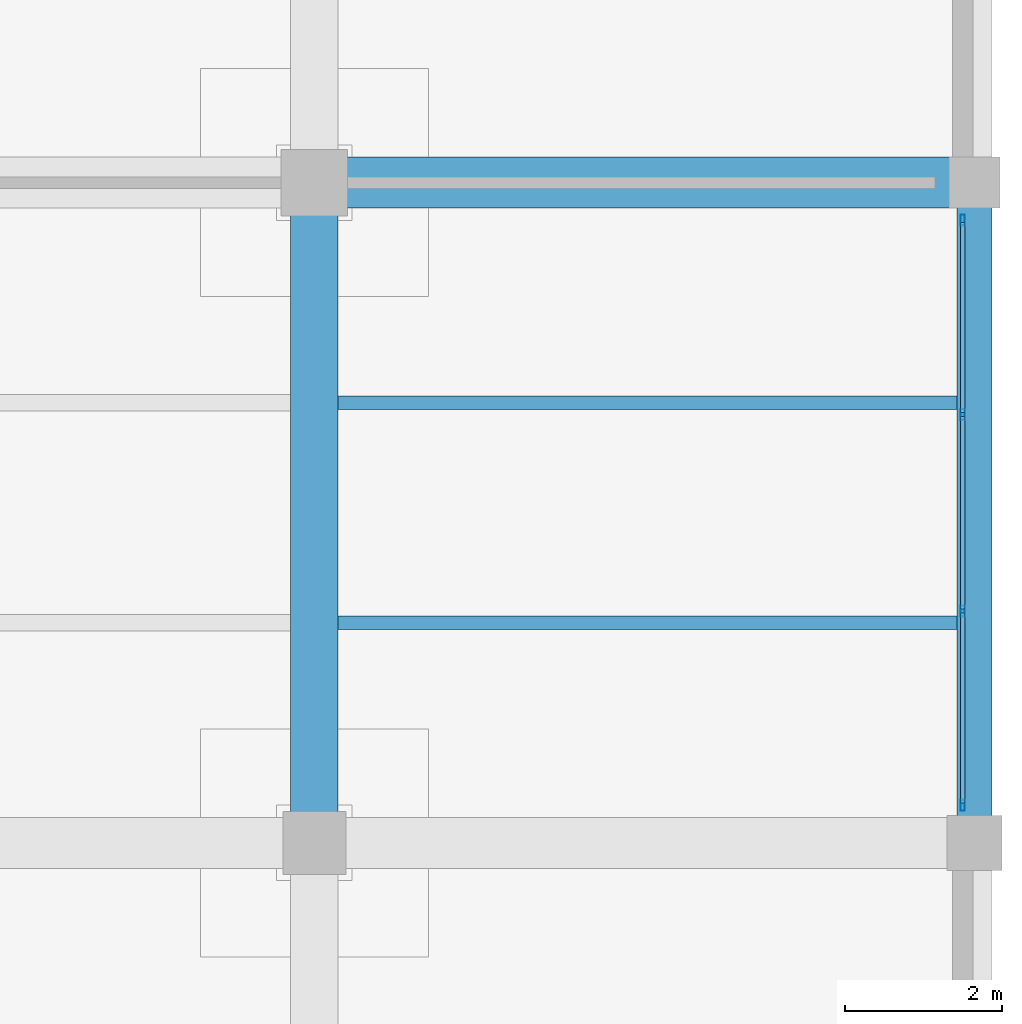
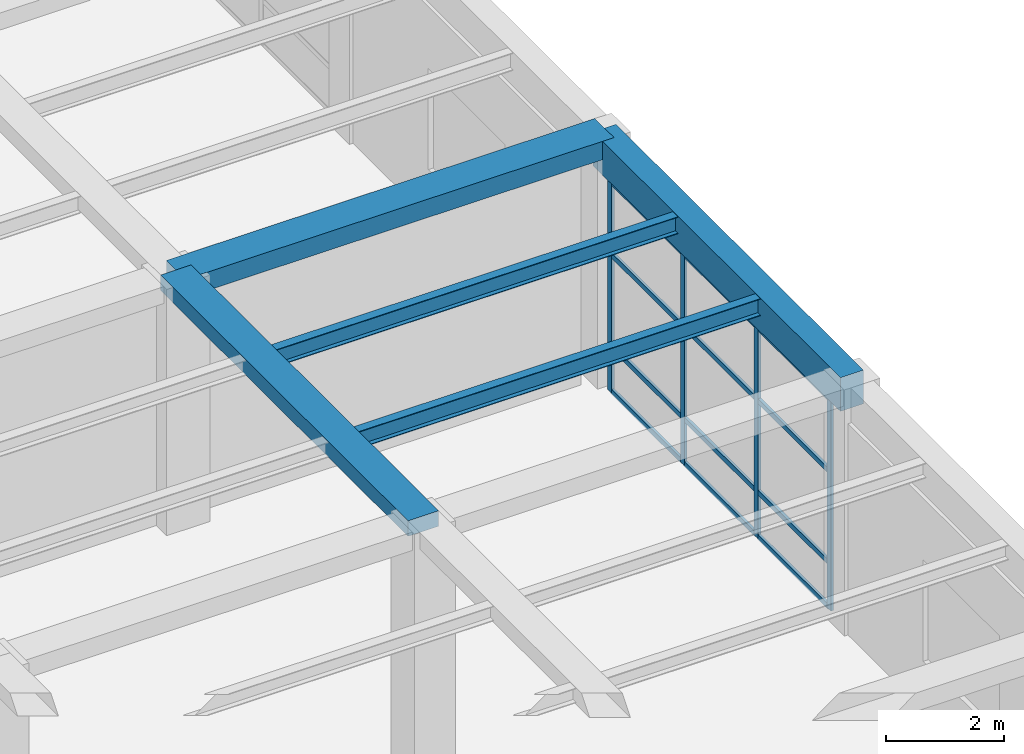
# One storey, part 56 of 95: 16 members, 5 beams, 1 element without a shape of its own.
"""IFC4 building model written with IfcOpenShell, lengths in metres."""

from ifc_helpers import new_model, si_unit, direction, frame, origin, origin_2d, place, context, subcontext, project, spatial, rectangle, hollow_rectangle, i_section, extrude, material, material_profile, profile_set, type_object, element, aggregate, save


model = new_model("IFC4")

# Units and contexts
model_context = context("Model", 3, precision=1e-05, world=origin(), true_north=direction((0.0, 1.0)))
body_context = subcontext(model_context, "Body", "Model", "MODEL_VIEW")
ifc_project = project(units=[si_unit("LENGTHUNIT", "METRE"), si_unit("AREAUNIT", "SQUARE_METRE"), si_unit("VOLUMEUNIT", "CUBIC_METRE"), si_unit("PLANEANGLEUNIT", "RADIAN"), si_unit("MASSUNIT", "GRAM", prefix="KILO")], contexts=[model_context])

# Site, building, storey
site_placement = place(None, origin())
site = spatial("IfcSite", under=ifc_project, at=site_placement, CompositionType="ELEMENT")
building_placement = place(site_placement, origin())
building = spatial("IfcBuilding", under=site, at=building_placement, Name="Almacenes y Pasaje Nevantli", CompositionType="ELEMENT")
storey_placement = place(building_placement, frame((0.0, 0.0, 11.39990234375)))
storey = spatial("IfcBuildingStorey", under=building, at=storey_placement, Name="L03", CompositionType="ELEMENT", Elevation=11.39990234375)

# Beams
ifc_material_1 = material(Name="Concrete C35/45", Category="concrete")
ifc_material_profile_1 = material_profile(ifc_material_1, rectangle(XDim=0.449951171875, YDim=0.699951171875, at=origin_2d()), Name="RC-BM-450x700")
ifc_profile_set_1 = profile_set([ifc_material_profile_1], Name="Concrete C35/45")
beam_type_1 = type_object("IfcBeamType", Name="BM-RC-450x700", PredefinedType="SPANDREL", material=ifc_profile_set_1)
beam_1_placement = place(storey_placement, frame((168.0, 67.199951171875, 4.75), z_axis=(0.0, 1.0, 0.0), x_axis=(-1.0, 0.0, 0.0)))
element("IfcBeam", 1, at=beam_1_placement, inside=storey, type_object=beam_type_1, Name="L03 North-South Reinforced Concrete Beam #2710", PredefinedType="SPANDREL", context=body_context, shape_type="SweptSolid", body=[
    extrude(rectangle(XDim=0.449951171875, YDim=0.699951171875, at=origin_2d()), origin(), (0.0, 0.0, 1.0), 8.400146484375),
])
ifc_material_2 = material(Name="Concrete C35/45", Category="concrete")
ifc_material_profile_2 = material_profile(ifc_material_2, rectangle(XDim=0.60009765625, YDim=0.320068359375, at=origin_2d()), Name="RC-BM-600x320")
ifc_profile_set_2 = profile_set([ifc_material_profile_2], Name="Concrete C35/45")
beam_type_2 = type_object("IfcBeamType", Name="BM-RC-600x320", PredefinedType="BEAM", material=ifc_profile_set_2)
beam_2_placement = place(storey_placement, frame((159.60009765625, 67.199951171875, 4.940185546875), z_axis=(0.0, 1.0, 0.0), x_axis=(-1.0, 0.0, 0.0)))
element("IfcBeam", 2, at=beam_2_placement, inside=storey, type_object=beam_type_2, Name="L03 North-South Reinforced Concrete Beam #2696", PredefinedType="BEAM", context=body_context, shape_type="SweptSolid", body=[
    extrude(rectangle(XDim=0.60009765625, YDim=0.320068359375, at=origin_2d()), origin(), (0.0, 0.0, 1.0), 8.400146484375),
])
ifc_material_3 = material(Name="Concrete C35/45", Category="concrete")
ifc_material_profile_3 = material_profile(ifc_material_3, rectangle(XDim=0.64990234375, YDim=0.3798828125, at=origin_2d()), Name="RC-BM-650x380")
ifc_profile_set_3 = profile_set([ifc_material_profile_3], Name="Concrete C35/45")
beam_type_3 = type_object("IfcBeamType", Name="BM-RC-650x380", PredefinedType="BEAM", material=ifc_profile_set_3)
beam_3_placement = place(storey_placement, frame((159.60009765625, 75.60009765625, 4.91015625), z_axis=(1.0, 0.0, 0.0), x_axis=(0.0, 1.0, 0.0)))
element("IfcBeam", 3, at=beam_3_placement, inside=storey, type_object=beam_type_3, Name="L03 East-West Reinforced Concrete Beam #2391", PredefinedType="BEAM", context=body_context, shape_type="SweptSolid", body=[
    extrude(rectangle(XDim=0.64990234375, YDim=0.3798828125, at=origin_2d()), origin(), (0.0, 0.0, 1.0), 8.39990234375),
])
ifc_material_4 = material(Name="Steel ASTM A992", Category="steel")
ifc_material_profile_4 = material_profile(ifc_material_4, i_section(OverallWidth=0.173095703125, OverallDepth=0.35302734375, WebThickness=0.0078125, FlangeThickness=0.01318359375, at=origin_2d()), Name="IR 356x56.6")
ifc_profile_set_4 = profile_set([ifc_material_profile_4], Name="Steel ASTM A992")
beam_type_4 = type_object("IfcBeamType", Name="BM-STL-IR-356x56p6", PredefinedType="JOIST", material=ifc_profile_set_4)
for number, where, z_axis, x_axis, name in (
    (4, (159.89990234375, 70.0, 4.91552734375), (1.0, 0.0, 0.0), (0.0, 1.0, 0.0), "L03 Secondary Steel Floor Joist #1003"),
    (5, (159.89990234375, 72.800048828125, 4.91552734375), (1.0, 0.0, 0.0), (0.0, 1.0, 0.0), "L03 Secondary Steel Floor Joist #1004"),
):
    element("IfcBeam", number, at=place(storey_placement, frame(where, z_axis=z_axis, x_axis=x_axis)), inside=storey, type_object=beam_type_4, Name=name, PredefinedType="JOIST", context=body_context, shape_type="SweptSolid", body=[
        extrude(i_section(OverallWidth=0.173095703125, OverallDepth=0.35302734375, WebThickness=0.0078125, FlangeThickness=0.01318359375, at=origin_2d()), origin(), (0.0, 0.0, 1.0), 7.875),
    ])

# Curtain wall, members
ifc_material_5 = material(Name="Thermally Broken Aluminium and Low-E Glass", Category="aluminium")
curtain_wall_type = type_object("IfcCurtainWallType", Name="CW-UNIT-PODIUM", PredefinedType="USERDEFINED", material=ifc_material_5)
curtain_wall_placement = place(storey_placement, origin())
curtain_wall = element("IfcCurtainWall", 6, at=curtain_wall_placement, inside=storey, type_object=curtain_wall_type, Name="L03 East Office Wing Curtain Wall Bay 9", ObjectType="UNITIZED CURTAIN WALL", PredefinedType="USERDEFINED")
ifc_material_6 = material(Name="Thermally Broken Anodized Aluminium", Category="aluminium")
ifc_material_profile_5 = material_profile(ifc_material_6, hollow_rectangle(XDim=0.054931640625, YDim=0.139892578125, WallThickness=0.00341796875, at=origin_2d()), Name="ALU-MUL-55x140")
ifc_profile_set_5 = profile_set([ifc_material_profile_5], Name="Thermally Broken Anodized Aluminium")
member_type_1 = type_object("IfcMemberType", Name="CW-MUL-160", PredefinedType="MULLION", material=ifc_profile_set_5)
member_1_placement = place(storey_placement, frame((167.85009765625, 67.677490234375, 0.0), z_axis=(0.0, 0.0, 1.0), x_axis=(-1.0, 0.0, 0.0)))
member_1 = element("IfcMember", 7, at=member_1_placement, type_object=member_type_1, Name="CW-L03-055 mullion 1", PredefinedType="MULLION", context=body_context, shape_type="SweptSolid", body=[
    extrude(hollow_rectangle(XDim=0.054931640625, YDim=0.139892578125, WallThickness=0.00341796875, at=origin_2d()), origin(), (0.0, 0.0, 1.0), 4.380126953125),
])
member_2_placement = place(storey_placement, frame((167.85009765625, 70.14990234375, 0.0), z_axis=(0.0, 0.0, 1.0), x_axis=(-1.0, 0.0, 0.0)))
member_2 = element("IfcMember", 8, at=member_2_placement, type_object=member_type_1, Name="CW-L03-055 mullion 2", PredefinedType="MULLION", context=body_context, shape_type="SweptSolid", body=[
    extrude(hollow_rectangle(XDim=0.054931640625, YDim=0.139892578125, WallThickness=0.00341796875, at=origin_2d()), origin(), (0.0, 0.0, 1.0), 4.380126953125),
])
member_3_placement = place(storey_placement, frame((167.85009765625, 72.64990234375, 0.0), z_axis=(0.0, 0.0, 1.0), x_axis=(-1.0, 0.0, 0.0)))
member_3 = element("IfcMember", 9, at=member_3_placement, type_object=member_type_1, Name="CW-L03-055 mullion 3", PredefinedType="MULLION", context=body_context, shape_type="SweptSolid", body=[
    extrude(hollow_rectangle(XDim=0.054931640625, YDim=0.139892578125, WallThickness=0.00341796875, at=origin_2d()), origin(), (0.0, 0.0, 1.0), 4.380126953125),
])
member_4_placement = place(storey_placement, frame((167.85009765625, 75.12255859375, 0.0), z_axis=(0.0, 0.0, 1.0), x_axis=(-1.0, 0.0, 0.0)))
member_4 = element("IfcMember", 10, at=member_4_placement, type_object=member_type_1, Name="CW-L03-055 mullion 4", PredefinedType="MULLION", context=body_context, shape_type="SweptSolid", body=[
    extrude(hollow_rectangle(XDim=0.054931640625, YDim=0.139892578125, WallThickness=0.00341796875, at=origin_2d()), origin(), (0.0, 0.0, 1.0), 4.380126953125),
])
ifc_material_7 = material(Name="Thermally Broken Anodized Aluminium", Category="aluminium")
ifc_material_profile_6 = material_profile(ifc_material_7, hollow_rectangle(XDim=0.054931640625, YDim=0.10498046875, WallThickness=0.003173828125, at=origin_2d()), Name="ALU-TRN-55x105")
ifc_profile_set_6 = profile_set([ifc_material_profile_6], Name="Thermally Broken Anodized Aluminium")
member_type_2 = type_object("IfcMemberType", Name="CW-TRN-120", PredefinedType="USERDEFINED", material=ifc_profile_set_6)
member_5_placement = place(storey_placement, frame((167.85009765625, 67.705078125, 0.027587890625), z_axis=(0.0, 1.0, 0.0), x_axis=(-1.0, 0.0, 0.0)))
member_5 = element("IfcMember", 11, at=member_5_placement, type_object=member_type_2, Name="CW-L03-055 transom 1.1", ObjectType="TRANSOM", PredefinedType="USERDEFINED", context=body_context, shape_type="SweptSolid", body=[
    extrude(hollow_rectangle(XDim=0.054931640625, YDim=0.10498046875, WallThickness=0.003173828125, at=origin_2d()), origin(), (0.0, 0.0, 1.0), 2.41748046875),
])
member_6_placement = place(storey_placement, frame((167.85009765625, 67.705078125, 0.9501953125), z_axis=(0.0, 1.0, 0.0), x_axis=(-1.0, 0.0, 0.0)))
member_6 = element("IfcMember", 12, at=member_6_placement, type_object=member_type_2, Name="CW-L03-055 transom 1.2", ObjectType="TRANSOM", PredefinedType="USERDEFINED", context=body_context, shape_type="SweptSolid", body=[
    extrude(hollow_rectangle(XDim=0.054931640625, YDim=0.10498046875, WallThickness=0.003173828125, at=origin_2d()), origin(), (0.0, 0.0, 1.0), 2.41748046875),
])
member_7_placement = place(storey_placement, frame((167.85009765625, 67.705078125, 2.85009765625), z_axis=(0.0, 1.0, 0.0), x_axis=(-1.0, 0.0, 0.0)))
member_7 = element("IfcMember", 13, at=member_7_placement, type_object=member_type_2, Name="CW-L03-055 transom 1.3", ObjectType="TRANSOM", PredefinedType="USERDEFINED", context=body_context, shape_type="SweptSolid", body=[
    extrude(hollow_rectangle(XDim=0.054931640625, YDim=0.10498046875, WallThickness=0.003173828125, at=origin_2d()), origin(), (0.0, 0.0, 1.0), 2.41748046875),
])
member_8_placement = place(storey_placement, frame((167.85009765625, 67.705078125, 4.3525390625), z_axis=(0.0, 1.0, 0.0), x_axis=(-1.0, 0.0, 0.0)))
member_8 = element("IfcMember", 14, at=member_8_placement, type_object=member_type_2, Name="CW-L03-055 transom 1.4", ObjectType="TRANSOM", PredefinedType="USERDEFINED", context=body_context, shape_type="SweptSolid", body=[
    extrude(hollow_rectangle(XDim=0.054931640625, YDim=0.10498046875, WallThickness=0.003173828125, at=origin_2d()), origin(), (0.0, 0.0, 1.0), 2.41748046875),
])
member_9_placement = place(storey_placement, frame((167.85009765625, 70.177490234375, 0.027587890625), z_axis=(0.0, 1.0, 0.0), x_axis=(-1.0, 0.0, 0.0)))
member_9 = element("IfcMember", 15, at=member_9_placement, type_object=member_type_2, Name="CW-L03-055 transom 2.1", ObjectType="TRANSOM", PredefinedType="USERDEFINED", context=body_context, shape_type="SweptSolid", body=[
    extrude(hollow_rectangle(XDim=0.054931640625, YDim=0.10498046875, WallThickness=0.003173828125, at=origin_2d()), origin(), (0.0, 0.0, 1.0), 2.445068359375),
])
member_10_placement = place(storey_placement, frame((167.85009765625, 70.177490234375, 0.9501953125), z_axis=(0.0, 1.0, 0.0), x_axis=(-1.0, 0.0, 0.0)))
member_10 = element("IfcMember", 16, at=member_10_placement, type_object=member_type_2, Name="CW-L03-055 transom 2.2", ObjectType="TRANSOM", PredefinedType="USERDEFINED", context=body_context, shape_type="SweptSolid", body=[
    extrude(hollow_rectangle(XDim=0.054931640625, YDim=0.10498046875, WallThickness=0.003173828125, at=origin_2d()), origin(), (0.0, 0.0, 1.0), 2.445068359375),
])
member_11_placement = place(storey_placement, frame((167.85009765625, 70.177490234375, 2.85009765625), z_axis=(0.0, 1.0, 0.0), x_axis=(-1.0, 0.0, 0.0)))
member_11 = element("IfcMember", 17, at=member_11_placement, type_object=member_type_2, Name="CW-L03-055 transom 2.3", ObjectType="TRANSOM", PredefinedType="USERDEFINED", context=body_context, shape_type="SweptSolid", body=[
    extrude(hollow_rectangle(XDim=0.054931640625, YDim=0.10498046875, WallThickness=0.003173828125, at=origin_2d()), origin(), (0.0, 0.0, 1.0), 2.445068359375),
])
member_12_placement = place(storey_placement, frame((167.85009765625, 70.177490234375, 4.3525390625), z_axis=(0.0, 1.0, 0.0), x_axis=(-1.0, 0.0, 0.0)))
member_12 = element("IfcMember", 18, at=member_12_placement, type_object=member_type_2, Name="CW-L03-055 transom 2.4", ObjectType="TRANSOM", PredefinedType="USERDEFINED", context=body_context, shape_type="SweptSolid", body=[
    extrude(hollow_rectangle(XDim=0.054931640625, YDim=0.10498046875, WallThickness=0.003173828125, at=origin_2d()), origin(), (0.0, 0.0, 1.0), 2.445068359375),
])
member_13_placement = place(storey_placement, frame((167.85009765625, 72.677490234375, 0.027587890625), z_axis=(0.0, 1.0, 0.0), x_axis=(-1.0, 0.0, 0.0)))
member_13 = element("IfcMember", 19, at=member_13_placement, type_object=member_type_2, Name="CW-L03-055 transom 3.1", ObjectType="TRANSOM", PredefinedType="USERDEFINED", context=body_context, shape_type="SweptSolid", body=[
    extrude(hollow_rectangle(XDim=0.054931640625, YDim=0.10498046875, WallThickness=0.003173828125, at=origin_2d()), origin(), (0.0, 0.0, 1.0), 2.41748046875),
])
member_14_placement = place(storey_placement, frame((167.85009765625, 72.677490234375, 0.9501953125), z_axis=(0.0, 1.0, 0.0), x_axis=(-1.0, 0.0, 0.0)))
member_14 = element("IfcMember", 20, at=member_14_placement, type_object=member_type_2, Name="CW-L03-055 transom 3.2", ObjectType="TRANSOM", PredefinedType="USERDEFINED", context=body_context, shape_type="SweptSolid", body=[
    extrude(hollow_rectangle(XDim=0.054931640625, YDim=0.10498046875, WallThickness=0.003173828125, at=origin_2d()), origin(), (0.0, 0.0, 1.0), 2.41748046875),
])
member_15_placement = place(storey_placement, frame((167.85009765625, 72.677490234375, 2.85009765625), z_axis=(0.0, 1.0, 0.0), x_axis=(-1.0, 0.0, 0.0)))
member_15 = element("IfcMember", 21, at=member_15_placement, type_object=member_type_2, Name="CW-L03-055 transom 3.3", ObjectType="TRANSOM", PredefinedType="USERDEFINED", context=body_context, shape_type="SweptSolid", body=[
    extrude(hollow_rectangle(XDim=0.054931640625, YDim=0.10498046875, WallThickness=0.003173828125, at=origin_2d()), origin(), (0.0, 0.0, 1.0), 2.41748046875),
])
member_16_placement = place(storey_placement, frame((167.85009765625, 72.677490234375, 4.3525390625), z_axis=(0.0, 1.0, 0.0), x_axis=(-1.0, 0.0, 0.0)))
member_16 = element("IfcMember", 22, at=member_16_placement, type_object=member_type_2, Name="CW-L03-055 transom 3.4", ObjectType="TRANSOM", PredefinedType="USERDEFINED", context=body_context, shape_type="SweptSolid", body=[
    extrude(hollow_rectangle(XDim=0.054931640625, YDim=0.10498046875, WallThickness=0.003173828125, at=origin_2d()), origin(), (0.0, 0.0, 1.0), 2.41748046875),
])
aggregate(curtain_wall, [member_1, member_2, member_3, member_4, member_5, member_6, member_7, member_8, member_9, member_10, member_11, member_12, member_13, member_14, member_15, member_16])

save(model, "model.ifc")
